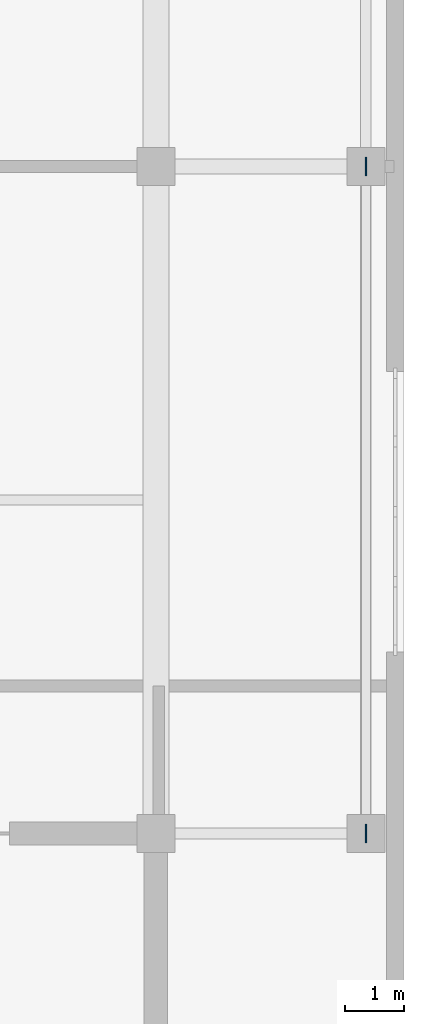
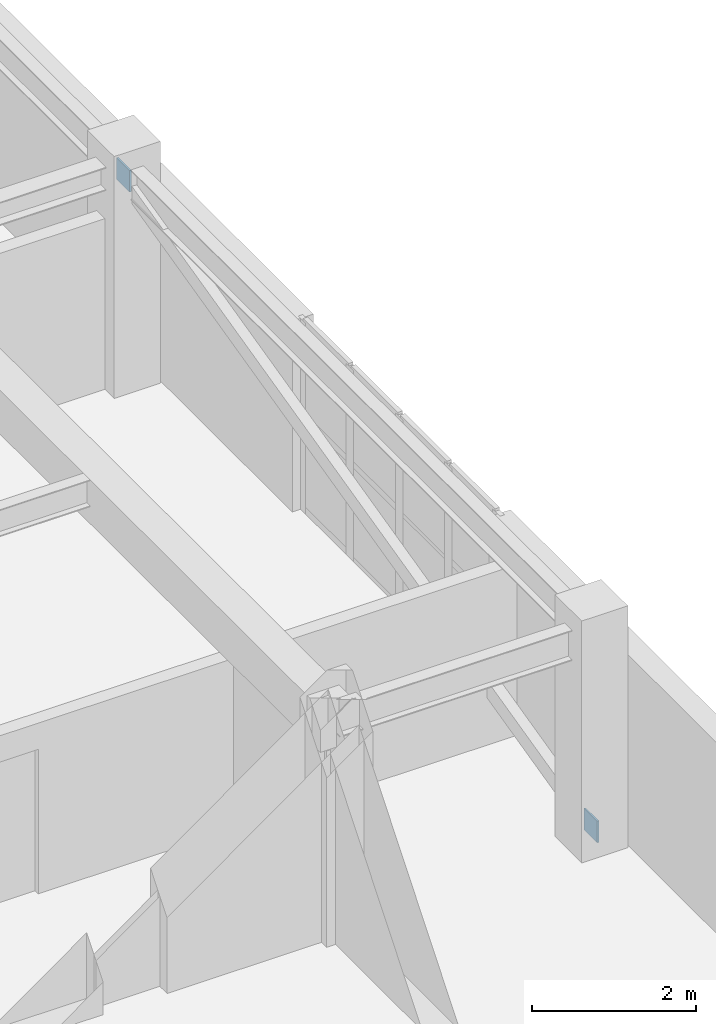
# One storey, part 8 of 9: 2 discrete accessories.
"""IFC4 building model written with IfcOpenShell, lengths in metres."""

from ifc_helpers import new_model, si_unit, direction, frame, origin, origin_2d, place, context, subcontext, project, spatial, rectangle, extrude, material, layer, layer_set, type_object, element, save


model = new_model("IFC4")

# Units and contexts
model_context = context("Model", 3, precision=1e-05, world=origin(), true_north=direction((0.0, 1.0)))
body_context = subcontext(model_context, "Body", "Model", "MODEL_VIEW")
ifc_project = project(units=[si_unit("LENGTHUNIT", "METRE"), si_unit("AREAUNIT", "SQUARE_METRE"), si_unit("VOLUMEUNIT", "CUBIC_METRE"), si_unit("PLANEANGLEUNIT", "RADIAN"), si_unit("MASSUNIT", "GRAM", prefix="KILO")], contexts=[model_context])

# Site, building, storey
site_placement = place(None, origin())
site = spatial("IfcSite", under=ifc_project, at=site_placement, CompositionType="ELEMENT")
building_placement = place(site_placement, origin())
building = spatial("IfcBuilding", under=site, at=building_placement, Name="Svetorya Sky Lyceum", CompositionType="ELEMENT")
storey_placement = place(building_placement, frame((0.0, 0.0, 312.800048828125)))
storey = spatial("IfcBuildingStorey", under=building, at=storey_placement, Name="C04", CompositionType="ELEMENT", Elevation=312.800048828125)

# Discrete accessories
ifc_material = material(Name="Steel S355", Category="steel")
ifc_layer = layer(ifc_material, 0.02392578125)
ifc_layer_set = layer_set([ifc_layer], Name="Steel S355")
discrete_accessory_type = type_object("IfcDiscreteAccessoryType", Name="ACC-GUSSET-24", PredefinedType="BRACKET", material=ifc_layer_set)
for number, where, z_axis, x_axis, name in (
    (1, (56.389892578125, 16.800048828125, 0.08984375), (0.0, 0.0, 1.0), (1.0, 0.0, 0.0), "C04 Brace Node Gusset Plate 207"),
    (2, (56.389892578125, 28.199951171875, 2.85986328125), (0.0, 0.0, 1.0), (1.0, 0.0, 0.0), "C04 Brace Node Gusset Plate 208"),
):
    element("IfcDiscreteAccessory", number, at=place(storey_placement, frame(where, z_axis=z_axis, x_axis=x_axis)), inside=storey, type_object=discrete_accessory_type, Name=name, PredefinedType="BRACKET", context=body_context, shape_type="SweptSolid", body=[
        extrude(rectangle(XDim=0.02392578125, YDim=0.320068359375, at=origin_2d()), origin(), (0.0, 0.0, 1.0), 0.320068359375),
    ])

save(model, "model.ifc")
